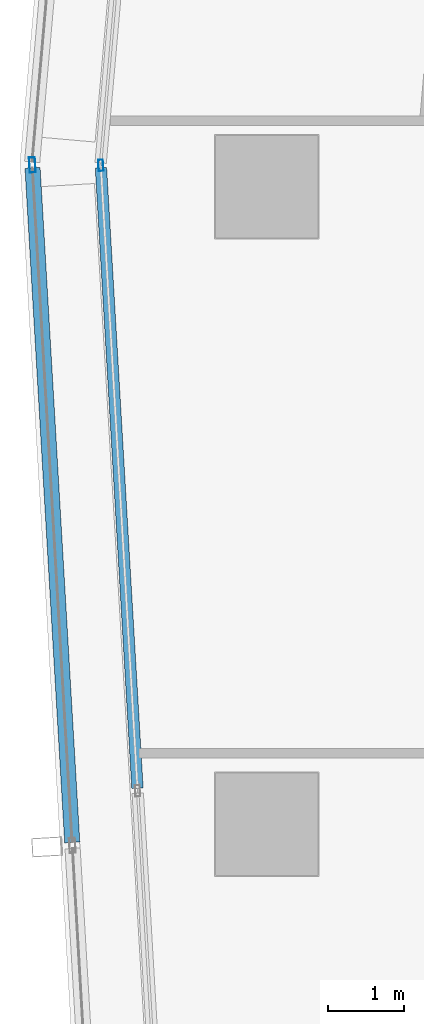
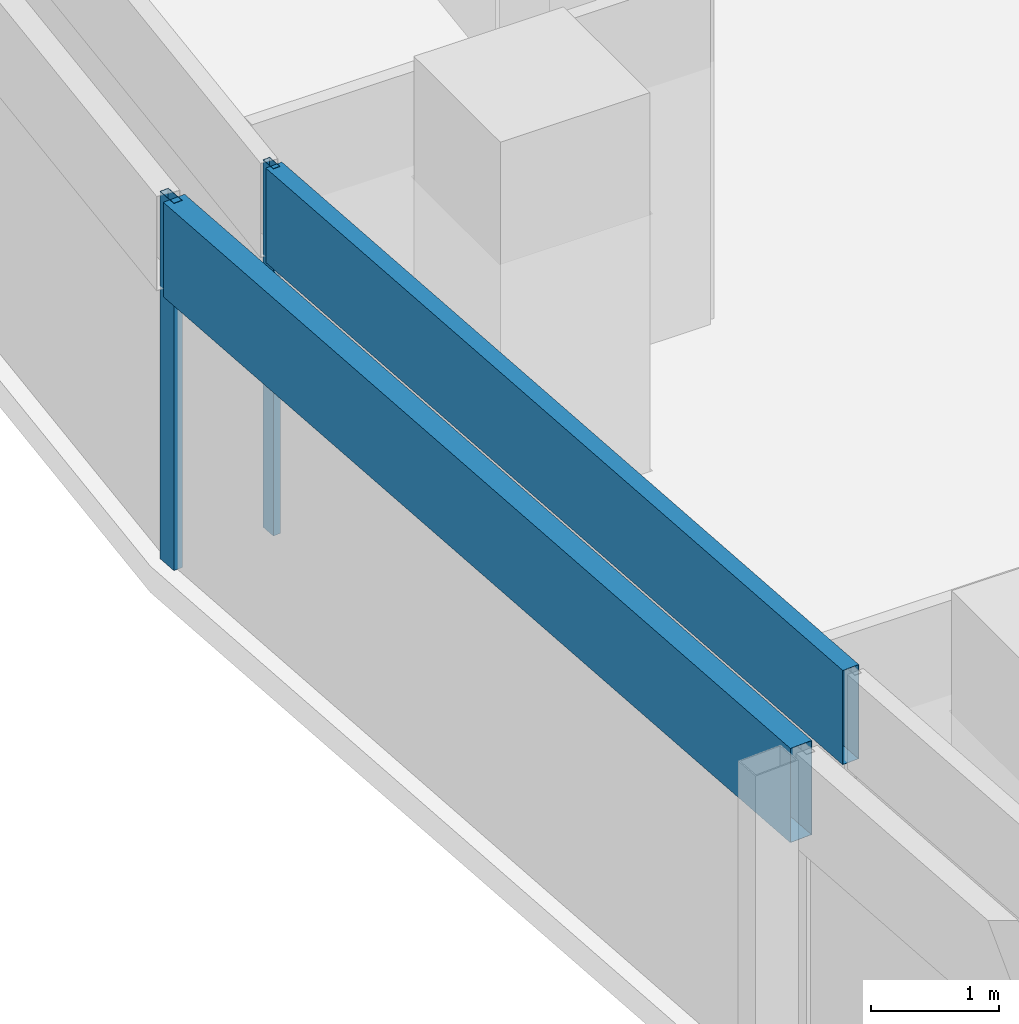
# One storey, part 9 of 33: 4 members, 2 elements without a shape of their own.
"""IFC4 building model written with IfcOpenShell, lengths in metres."""

from ifc_helpers import new_model, si_unit, direction, frame, origin, origin_2d, place, context, subcontext, project, spatial, hollow_rectangle, extrude, material, material_profile, profile_set, type_object, element, aggregate, save


model = new_model("IFC4")

# Units and contexts
model_context = context("Model", 3, precision=1e-05, world=origin(), true_north=direction((0.0, 1.0)))
body_context = subcontext(model_context, "Body", "Model", "MODEL_VIEW")
ifc_project = project(units=[si_unit("LENGTHUNIT", "METRE"), si_unit("AREAUNIT", "SQUARE_METRE"), si_unit("VOLUMEUNIT", "CUBIC_METRE"), si_unit("PLANEANGLEUNIT", "RADIAN"), si_unit("MASSUNIT", "GRAM", prefix="KILO")], contexts=[model_context])

# Site, building, storey
site_placement = place(None, origin())
site = spatial("IfcSite", under=ifc_project, at=site_placement, CompositionType="ELEMENT")
building_placement = place(site_placement, origin())
building = spatial("IfcBuilding", under=site, at=building_placement, Name="Rekha Terrace Tower", CompositionType="ELEMENT")
storey_placement = place(building_placement, frame((0.0, 0.0, 206.449951171875)))
storey = spatial("IfcBuildingStorey", under=building, at=storey_placement, Name="L52", CompositionType="ELEMENT", Elevation=206.449951171875)

# Curtain wall, members
ifc_material_1 = material(Name="Aluminium framing", Category="aluminium")
curtain_wall_type_1 = type_object("IfcCurtainWallType", Name="CW1 double skin inner glazing", PredefinedType="USERDEFINED", material=ifc_material_1)
curtain_wall_1_placement = place(storey_placement, origin())
curtain_wall_1 = element("IfcCurtainWall", 1, at=curtain_wall_1_placement, inside=storey, type_object=curtain_wall_type_1, Name="CW1 double skin inner glazing", ObjectType="DOUBLE SKIN INNER GLAZING", PredefinedType="USERDEFINED")
ifc_material_2 = material(Name="Aluminium mullion section", Category="aluminium")
ifc_material_profile_1 = material_profile(ifc_material_2, hollow_rectangle(XDim=0.06494140625, YDim=0.14990234375, WallThickness=0.00390625, at=origin_2d()), Name="AL RHS 65x150")
ifc_profile_set_1 = profile_set([ifc_material_profile_1], Name="Aluminium mullion section")
member_type_1 = type_object("IfcMemberType", Name="CW1 mullion RHS 65 x 150", PredefinedType="MULLION", material=ifc_profile_set_1)
member_1_placement = place(storey_placement, frame((6.214599609375, 42.281982421875, 0.0), z_axis=(0.0, 0.0, 1.0), x_axis=(0.998271839269, 0.058765082516, 0.0)))
member_1 = element("IfcMember", 2, at=member_1_placement, type_object=member_type_1, Name="CW1 mullion 1", PredefinedType="MULLION", context=body_context, shape_type="SweptSolid", body=[
    extrude(hollow_rectangle(XDim=0.06494140625, YDim=0.14990234375, WallThickness=0.00390625, at=origin_2d()), origin(), (0.0, 0.0, 1.0), 3.5),
])
ifc_material_3 = material(Name="Insulated aluminium spandrel box", Category="aluminium")
ifc_material_profile_2 = material_profile(ifc_material_3, hollow_rectangle(XDim=0.14990234375, YDim=0.89990234375, WallThickness=0.0029296875, at=origin_2d()), Name="AL SPANDREL BOX 150x900")
ifc_profile_set_2 = profile_set([ifc_material_profile_2], Name="Insulated aluminium spandrel box")
member_type_2 = type_object("IfcMemberType", Name="CW1 spandrel transom 150 x 900", PredefinedType="USERDEFINED", material=ifc_profile_set_2)
member_2_placement = place(storey_placement, frame((6.216552734375, 42.24951171875, 3.050048828125), z_axis=(0.058777934282, -0.998271082643, 0.0), x_axis=(0.998271082643, 0.058777934282, 0.0)))
member_2 = element("IfcMember", 3, at=member_2_placement, type_object=member_type_2, Name="CW1 spandrel transom 1", ObjectType="TRANSOM", PredefinedType="USERDEFINED", context=body_context, shape_type="SweptSolid", body=[
    extrude(hollow_rectangle(XDim=0.14990234375, YDim=0.89990234375, WallThickness=0.0029296875, at=origin_2d()), origin(), (0.0, 0.0, 1.0), 8.19091796875),
])
aggregate(curtain_wall_1, [member_1, member_2])

curtain_wall_type_2 = type_object("IfcCurtainWallType", Name="CW2 double skin outer glazing", PredefinedType="USERDEFINED", material=ifc_material_1)
curtain_wall_2_placement = place(storey_placement, origin())
curtain_wall_2 = element("IfcCurtainWall", 4, at=curtain_wall_2_placement, inside=storey, type_object=curtain_wall_type_2, Name="CW2 double skin outer glazing", ObjectType="DOUBLE SKIN OUTER GLAZING", PredefinedType="USERDEFINED")
ifc_material_profile_3 = material_profile(ifc_material_2, hollow_rectangle(XDim=0.080078125, YDim=0.199951171875, WallThickness=0.00390625, at=origin_2d()), Name="AL RHS 80x200")
ifc_profile_set_3 = profile_set([ifc_material_profile_3], Name="Aluminium mullion section")
member_type_3 = type_object("IfcMemberType", Name="CW2 mullion RHS 80 x 200", PredefinedType="MULLION", material=ifc_profile_set_3)
member_3_placement = place(storey_placement, frame((5.312744140625, 42.287841796875, 0.0), z_axis=(0.0, 0.0, 1.0), x_axis=(0.99827183927, 0.058765082499, 0.0)))
member_3 = element("IfcMember", 5, at=member_3_placement, type_object=member_type_3, Name="CW2 mullion 1", PredefinedType="MULLION", context=body_context, shape_type="SweptSolid", body=[
    extrude(hollow_rectangle(XDim=0.080078125, YDim=0.199951171875, WallThickness=0.00390625, at=origin_2d()), origin(), (0.0, 0.0, 1.0), 3.5),
])
ifc_material_profile_4 = material_profile(ifc_material_3, hollow_rectangle(XDim=0.199951171875, YDim=0.89990234375, WallThickness=0.0029296875, at=origin_2d()), Name="AL SPANDREL BOX 200x900")
ifc_profile_set_4 = profile_set([ifc_material_profile_4], Name="Insulated aluminium spandrel box")
member_type_4 = type_object("IfcMemberType", Name="CW2 spandrel transom 200 x 900", PredefinedType="USERDEFINED", material=ifc_profile_set_4)
member_4_placement = place(storey_placement, frame((5.315185546875, 42.247802734375, 3.050048828125), z_axis=(0.058762207171, -0.998272008527, 0.0), x_axis=(0.998272008527, 0.058762207171, 0.0)))
member_4 = element("IfcMember", 6, at=member_4_placement, type_object=member_type_4, Name="CW2 spandrel transom 1", ObjectType="TRANSOM", PredefinedType="USERDEFINED", context=body_context, shape_type="SweptSolid", body=[
    extrude(hollow_rectangle(XDim=0.199951171875, YDim=0.89990234375, WallThickness=0.0029296875, at=origin_2d()), origin(), (0.0, 0.0, 1.0), 8.903564453125),
])
aggregate(curtain_wall_2, [member_3, member_4])

save(model, "model.ifc")
